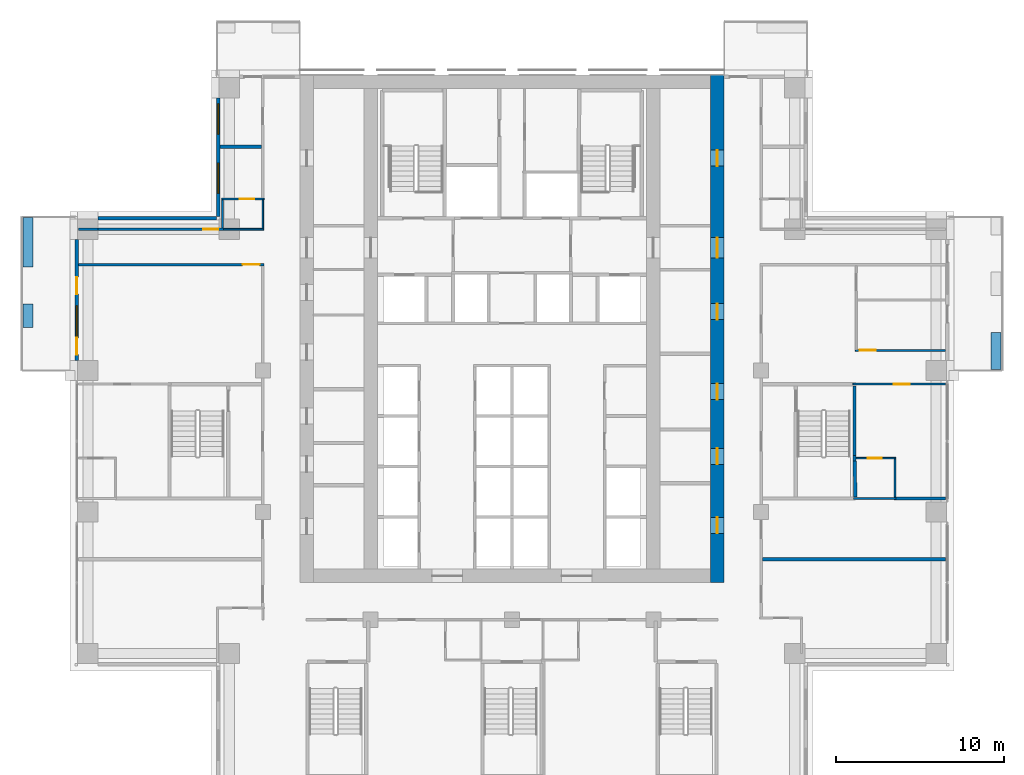
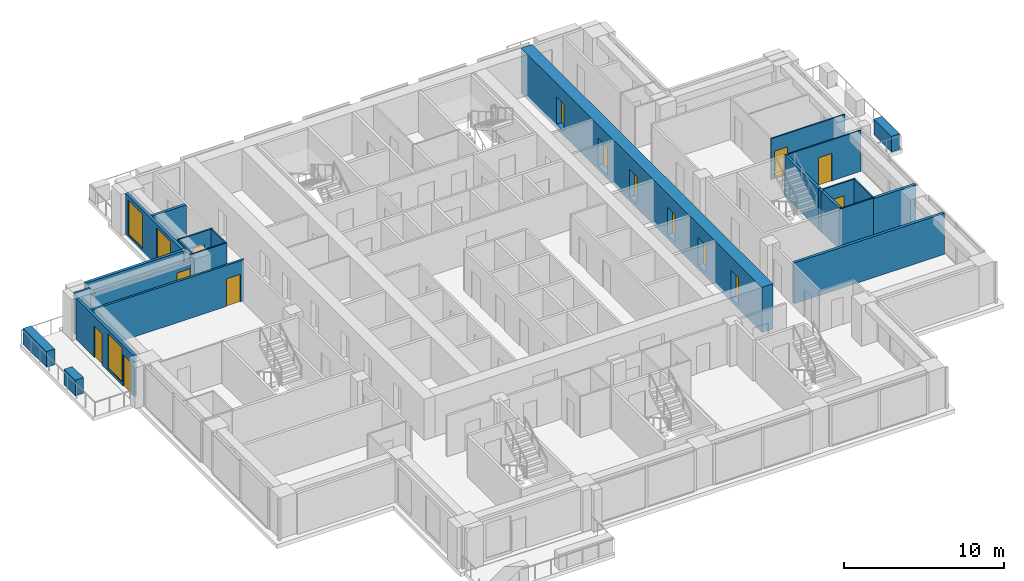
# One storey, part 10 of 17: 26 walls, 14 doors, 3 windows, 17 openings.
"""IFC4 building model written with IfcOpenShell, lengths in metres."""

from ifc_helpers import new_model, si_unit, direction, frame, frame_2d, origin, place, context, subcontext, project, spatial, rectangle, extrude, material, layer, layer_set, type_object, element, fill, save


model = new_model("IFC4")

# Units and contexts
model_context = context("Model", 3, precision=1e-05, world=origin(), true_north=direction((0.0, 1.0)))
body_context = subcontext(model_context, "Body", "Model", "MODEL_VIEW")
ifc_project = project(units=[si_unit("LENGTHUNIT", "METRE"), si_unit("AREAUNIT", "SQUARE_METRE"), si_unit("VOLUMEUNIT", "CUBIC_METRE"), si_unit("PLANEANGLEUNIT", "RADIAN"), si_unit("MASSUNIT", "GRAM", prefix="KILO")], contexts=[model_context])

# Site, building, storey
site_placement = place(None, origin())
site = spatial("IfcSite", under=ifc_project, at=site_placement, CompositionType="ELEMENT")
building_placement = place(site_placement, origin())
building = spatial("IfcBuilding", under=site, at=building_placement, Name="Vermilion Ogive Tower", CompositionType="ELEMENT")
storey_placement = place(building_placement, frame((0.0, 0.0, 83.85009765625)))
storey = spatial("IfcBuildingStorey", under=building, at=storey_placement, Name="L20", CompositionType="ELEMENT", Elevation=83.85009765625)

# Wall, openings, doors
ifc_material_1 = material(Name="Concrete B80", Category="concrete")
ifc_layer_1 = layer(ifc_material_1, 0.800048828125)
ifc_layer_set_1 = layer_set([ifc_layer_1], Name="Core wall 800 B80")
wall_type_1 = type_object("IfcWallType", Name="Core wall 800 B80", PredefinedType="SHEAR", material=ifc_layer_set_1)
wall_1_placement = place(storey_placement, frame((12.199951171875, -8.39990234375, -0.320068359375), z_axis=(0.0, 0.0, 1.0), x_axis=(0.0, 1.0, 0.0)))
wall_1 = element("IfcWall", 1, at=wall_1_placement, inside=storey, type_object=wall_type_1, Name="L20-CORE-E", PredefinedType="SHEAR", context=body_context, shape_type="SweptSolid", body=[
    extrude(rectangle(XDim=30.14990234375, YDim=0.800048828125, at=frame_2d((15.074951171875, 0.0))), origin(), (0.0, 0.0, 1.0), 3.449951171875),
])
opening_1_placement = place(wall_1_placement, frame((2.925048828125, 0.0, 0.320068359375)))
opening_1 = element("IfcOpeningElement", 2, at=opening_1_placement, cuts=wall_1, Name="Opening DAC034", PredefinedType="OPENING", context=body_context, shape_type="SweptSolid", body=[
    extrude(rectangle(XDim=0.949951171875, YDim=2.10009765625, at=frame_2d((0.47509765625, 1.050048828125))), frame((0.0, 0.409912109375, 0.0), z_axis=(0.0, -1.0, 0.0), x_axis=(1.0, 0.0, 0.0)), (0.0, 0.0, 1.0), 0.820068359375),
])
opening_2_placement = place(wall_1_placement, frame((7.02490234375, 0.0, 0.320068359375)))
opening_2 = element("IfcOpeningElement", 3, at=opening_2_placement, cuts=wall_1, Name="Opening DAC035", PredefinedType="OPENING", context=body_context, shape_type="SweptSolid", body=[
    extrude(rectangle(XDim=0.949951171875, YDim=2.10009765625, at=frame_2d((0.47509765625, 1.050048828125))), frame((0.0, 0.409912109375, 0.0), z_axis=(0.0, -1.0, 0.0), x_axis=(1.0, 0.0, 0.0)), (0.0, 0.0, 1.0), 0.820068359375),
])
opening_3_placement = place(wall_1_placement, frame((10.875, 0.0, 0.320068359375)))
opening_3 = element("IfcOpeningElement", 4, at=opening_3_placement, cuts=wall_1, Name="Opening DAC036", PredefinedType="OPENING", context=body_context, shape_type="SweptSolid", body=[
    extrude(rectangle(XDim=0.949951171875, YDim=2.10009765625, at=frame_2d((0.47509765625, 1.050048828125))), frame((0.0, 0.409912109375, 0.0), z_axis=(0.0, -1.0, 0.0), x_axis=(1.0, 0.0, 0.0)), (0.0, 0.0, 1.0), 0.820068359375),
])
opening_4_placement = place(wall_1_placement, frame((15.625, 0.0, 0.320068359375)))
opening_4 = element("IfcOpeningElement", 5, at=opening_4_placement, cuts=wall_1, Name="Opening DAC037", PredefinedType="OPENING", context=body_context, shape_type="SweptSolid", body=[
    extrude(rectangle(XDim=0.949951171875, YDim=2.10009765625, at=frame_2d((0.47509765625, 1.050048828125))), frame((0.0, 0.409912109375, 0.0), z_axis=(0.0, -1.0, 0.0), x_axis=(1.0, 0.0, 0.0)), (0.0, 0.0, 1.0), 0.820068359375),
])
opening_5_placement = place(wall_1_placement, frame((24.75, 0.0, 0.320068359375)))
opening_5 = element("IfcOpeningElement", 6, at=opening_5_placement, cuts=wall_1, Name="Opening DAC038", PredefinedType="OPENING", context=body_context, shape_type="SweptSolid", body=[
    extrude(rectangle(XDim=0.949951171875, YDim=2.10009765625, at=frame_2d((0.47509765625, 1.050048828125))), frame((0.0, 0.409912109375, 0.0), z_axis=(0.0, -1.0, 0.0), x_axis=(1.0, 0.0, 0.0)), (0.0, 0.0, 1.0), 0.820068359375),
])
opening_6_placement = place(wall_1_placement, frame((19.300048828125, 0.0, 0.320068359375)))
opening_6 = element("IfcOpeningElement", 7, at=opening_6_placement, cuts=wall_1, Name="Opening DAL007", PredefinedType="OPENING", context=body_context, shape_type="SweptSolid", body=[
    extrude(rectangle(XDim=1.199951171875, YDim=2.10009765625, at=frame_2d((0.60009765625, 1.050048828125))), frame((0.0, 0.409912109375, 0.0), z_axis=(0.0, -1.0, 0.0), x_axis=(1.0, 0.0, 0.0)), (0.0, 0.0, 1.0), 0.820068359375),
])
ifc_material_2 = material(Name="Timber door leaf", Category="wood")
door_type_1 = type_object("IfcDoorType", Name="Link door 1200 x 2100 FD60S", OperationType="SINGLE_SWING_LEFT", PredefinedType="DOOR", material=ifc_material_2)
door_1_placement = place(opening_6_placement, origin())
door_1 = element("IfcDoor", 8, at=door_1_placement, inside=storey, type_object=door_type_1, Name="L20-CKE-XL", OperationType="SINGLE_SWING_LEFT", OverallHeight=2.10009765625, OverallWidth=1.199951171875, PredefinedType="DOOR", context=body_context, shape_type="SweptSolid", body=[
    extrude(rectangle(XDim=1.199951171875, YDim=2.10009765625, at=frame_2d((0.60009765625, 1.050048828125))), frame((0.0, 0.02490234375, 0.0), z_axis=(0.0, -1.0, 0.0), x_axis=(1.0, 0.0, 0.0)), (0.0, 0.0, 1.0), 0.050048828125),
])
fill(opening_6, door_1)
ifc_material_3 = material(Name="Timber door leaf", Category="wood")
door_type_2 = type_object("IfcDoorType", Name="Service door 950 x 2100 FD60", OperationType="SINGLE_SWING_LEFT", PredefinedType="DOOR", material=ifc_material_3)
door_2_placement = place(opening_1_placement, origin())
door_2 = element("IfcDoor", 9, at=door_2_placement, inside=storey, type_object=door_type_2, Name="L20-CKE-XR0", OperationType="SINGLE_SWING_LEFT", OverallHeight=2.10009765625, OverallWidth=0.949951171875, PredefinedType="DOOR", context=body_context, shape_type="SweptSolid", body=[
    extrude(rectangle(XDim=0.949951171875, YDim=2.10009765625, at=frame_2d((0.47509765625, 1.050048828125))), frame((0.0, 0.02490234375, 0.0), z_axis=(0.0, -1.0, 0.0), x_axis=(1.0, 0.0, 0.0)), (0.0, 0.0, 1.0), 0.050048828125),
])
fill(opening_1, door_2)
door_3_placement = place(opening_2_placement, origin())
door_3 = element("IfcDoor", 10, at=door_3_placement, inside=storey, type_object=door_type_2, Name="L20-CKE-XR1", OperationType="SINGLE_SWING_LEFT", OverallHeight=2.10009765625, OverallWidth=0.949951171875, PredefinedType="DOOR", context=body_context, shape_type="SweptSolid", body=[
    extrude(rectangle(XDim=0.949951171875, YDim=2.10009765625, at=frame_2d((0.47509765625, 1.050048828125))), frame((0.0, 0.02490234375, 0.0), z_axis=(0.0, -1.0, 0.0), x_axis=(1.0, 0.0, 0.0)), (0.0, 0.0, 1.0), 0.050048828125),
])
fill(opening_2, door_3)
door_4_placement = place(opening_3_placement, origin())
door_4 = element("IfcDoor", 11, at=door_4_placement, inside=storey, type_object=door_type_2, Name="L20-CKE-XR2", OperationType="SINGLE_SWING_LEFT", OverallHeight=2.10009765625, OverallWidth=0.949951171875, PredefinedType="DOOR", context=body_context, shape_type="SweptSolid", body=[
    extrude(rectangle(XDim=0.949951171875, YDim=2.10009765625, at=frame_2d((0.47509765625, 1.050048828125))), frame((0.0, 0.02490234375, 0.0), z_axis=(0.0, -1.0, 0.0), x_axis=(1.0, 0.0, 0.0)), (0.0, 0.0, 1.0), 0.050048828125),
])
fill(opening_3, door_4)
door_5_placement = place(opening_4_placement, origin())
door_5 = element("IfcDoor", 12, at=door_5_placement, inside=storey, type_object=door_type_2, Name="L20-CKE-XR3", OperationType="SINGLE_SWING_LEFT", OverallHeight=2.10009765625, OverallWidth=0.949951171875, PredefinedType="DOOR", context=body_context, shape_type="SweptSolid", body=[
    extrude(rectangle(XDim=0.949951171875, YDim=2.10009765625, at=frame_2d((0.47509765625, 1.050048828125))), frame((0.0, 0.02490234375, 0.0), z_axis=(0.0, -1.0, 0.0), x_axis=(1.0, 0.0, 0.0)), (0.0, 0.0, 1.0), 0.050048828125),
])
fill(opening_4, door_5)
door_6_placement = place(opening_5_placement, origin())
door_6 = element("IfcDoor", 13, at=door_6_placement, inside=storey, type_object=door_type_2, Name="L20-CKE-XR4", OperationType="SINGLE_SWING_LEFT", OverallHeight=2.10009765625, OverallWidth=0.949951171875, PredefinedType="DOOR", context=body_context, shape_type="SweptSolid", body=[
    extrude(rectangle(XDim=0.949951171875, YDim=2.10009765625, at=frame_2d((0.47509765625, 1.050048828125))), frame((0.0, 0.02490234375, 0.0), z_axis=(0.0, -1.0, 0.0), x_axis=(1.0, 0.0, 0.0)), (0.0, 0.0, 1.0), 0.050048828125),
])
fill(opening_5, door_6)

# Wall
ifc_material_4 = material(Name="Gypsum board partition on steel studs", Category="steel")
ifc_layer_2 = layer(ifc_material_4, 0.10009765625)
ifc_layer_set_2 = layer_set([ifc_layer_2], Name="Partition 100 bath")
wall_type_2 = type_object("IfcWallType", Name="Partition 100 bath", PredefinedType="PARTITIONING", material=ifc_layer_set_2)
wall_2_placement = place(storey_placement, frame((20.300048828125, -3.39990234375, 0.0), z_axis=(0.0, 0.0, 1.0), x_axis=(1.0, 0.0, 0.0)))
element("IfcWall", 14, at=wall_2_placement, inside=storey, type_object=wall_type_2, Name="L20-W-W019", PredefinedType="PARTITIONING", context=body_context, shape_type="SweptSolid", body=[
    extrude(rectangle(XDim=2.5, YDim=0.10009765625, at=frame_2d((1.25, 0.0))), origin(), (0.0, 0.0, 1.0), 3.1298828125),
])

# Wall, opening, door
wall_3_placement = place(storey_placement, frame((20.449951171875, -1.0, 0.0), z_axis=(0.0, 0.0, 1.0), x_axis=(1.0, 0.0, 0.0)))
wall_3 = element("IfcWall", 15, at=wall_3_placement, inside=storey, type_object=wall_type_2, Name="L20-W-W022", PredefinedType="PARTITIONING", context=body_context, shape_type="SweptSolid", body=[
    extrude(rectangle(XDim=2.35009765625, YDim=0.10009765625, at=frame_2d((1.175048828125, 0.0))), origin(), (0.0, 0.0, 1.0), 3.1298828125),
])
opening_7_placement = place(wall_3_placement, frame((0.675048828125, 0.0, 0.0)))
opening_7 = element("IfcOpeningElement", 16, at=opening_7_placement, cuts=wall_3, Name="Opening D2G1019", PredefinedType="OPENING", context=body_context, shape_type="SweptSolid", body=[
    extrude(rectangle(XDim=0.85009765625, YDim=2.10009765625, at=frame_2d((0.425048828125, 1.050048828125))), frame((0.0, 0.06005859375, 0.0), z_axis=(0.0, -1.0, 0.0), x_axis=(1.0, 0.0, 0.0)), (0.0, 0.0, 1.0), 0.1201171875),
])
ifc_material_5 = material(Name="Timber door leaf", Category="wood")
door_type_3 = type_object("IfcDoorType", Name="Bath door 850 x 2100 FD30", OperationType="SINGLE_SWING_LEFT", PredefinedType="DOOR", material=ifc_material_5)
door_7_placement = place(opening_7_placement, origin())
door_7 = element("IfcDoor", 17, at=door_7_placement, inside=storey, type_object=door_type_3, Name="L20-D-D019", OperationType="SINGLE_SWING_RIGHT", OverallHeight=2.10009765625, OverallWidth=0.85009765625, PredefinedType="DOOR", context=body_context, shape_type="SweptSolid", body=[
    extrude(rectangle(XDim=0.85009765625, YDim=2.10009765625, at=frame_2d((0.425048828125, 1.050048828125))), frame((0.0, 0.02490234375, 0.0), z_axis=(0.0, -1.0, 0.0), x_axis=(1.0, 0.0, 0.0)), (0.0, 0.0, 1.0), 0.050048828125),
])
fill(opening_7, door_7)

# Wall
wall_4_placement = place(storey_placement, frame((-17.25, 12.60009765625, 0.0), z_axis=(0.0, 0.0, 1.0), x_axis=(1.0, 0.0, 0.0)))
element("IfcWall", 18, at=wall_4_placement, inside=storey, type_object=wall_type_2, Name="L20-W-W032", PredefinedType="PARTITIONING", context=body_context, shape_type="SweptSolid", body=[
    extrude(rectangle(XDim=2.5, YDim=0.10009765625, at=frame_2d((1.25, 0.0))), origin(), (0.0, 0.0, 1.0), 3.1298828125),
])

# Wall, opening, door
wall_5_placement = place(storey_placement, frame((-17.25, 14.39990234375, 0.0), z_axis=(0.0, 0.0, 1.0), x_axis=(1.0, 0.0, 0.0)))
wall_5 = element("IfcWall", 19, at=wall_5_placement, inside=storey, type_object=wall_type_2, Name="L20-W-W035", PredefinedType="PARTITIONING", context=body_context, shape_type="SweptSolid", body=[
    extrude(rectangle(XDim=2.52490234375, YDim=0.10009765625, at=frame_2d((1.262451171875, 0.0))), origin(), (0.0, 0.0, 1.0), 3.1298828125),
])
opening_8_placement = place(wall_5_placement, frame((1.074951171875, 0.0, 0.0)))
opening_8 = element("IfcOpeningElement", 20, at=opening_8_placement, cuts=wall_5, Name="Opening D2G1007", PredefinedType="OPENING", context=body_context, shape_type="SweptSolid", body=[
    extrude(rectangle(XDim=0.85009765625, YDim=2.10009765625, at=frame_2d((0.425048828125, 1.050048828125))), frame((0.0, 0.06005859375, 0.0), z_axis=(0.0, -1.0, 0.0), x_axis=(1.0, 0.0, 0.0)), (0.0, 0.0, 1.0), 0.1201171875),
])
door_8_placement = place(opening_8_placement, origin())
door_8 = element("IfcDoor", 21, at=door_8_placement, inside=storey, type_object=door_type_3, Name="L20-D-D007", OperationType="SINGLE_SWING_RIGHT", OverallHeight=2.10009765625, OverallWidth=0.85009765625, PredefinedType="DOOR", context=body_context, shape_type="SweptSolid", body=[
    extrude(rectangle(XDim=0.85009765625, YDim=2.10009765625, at=frame_2d((0.425048828125, 1.050048828125))), frame((0.0, 0.02490234375, 0.0), z_axis=(0.0, -1.0, 0.0), x_axis=(1.0, 0.0, 0.0)), (0.0, 0.0, 1.0), 0.050048828125),
])
fill(opening_8, door_8)

# Walls
wall_6_placement = place(storey_placement, frame((-17.199951171875, 12.675048828125, 0.0), z_axis=(0.0, 0.0, 1.0), x_axis=(0.0, 1.0, 0.0)))
element("IfcWall", 22, at=wall_6_placement, inside=storey, type_object=wall_type_2, Name="L20-W-W042", PredefinedType="PARTITIONING", context=body_context, shape_type="SweptSolid", body=[
    extrude(rectangle(XDim=1.675048828125, YDim=0.10009765625, at=frame_2d((0.83740234375, 0.0))), origin(), (0.0, 0.0, 1.0), 3.1298828125),
])
wall_7_placement = place(storey_placement, frame((-14.800048828125, 12.64990234375, 0.0), z_axis=(0.0, 0.0, 1.0), x_axis=(0.0, 1.0, 0.0)))
element("IfcWall", 23, at=wall_7_placement, inside=storey, type_object=wall_type_2, Name="L20-W-W046", PredefinedType="PARTITIONING", context=body_context, shape_type="SweptSolid", body=[
    extrude(rectangle(XDim=1.7001953125, YDim=0.10009765625, at=frame_2d((0.85009765625, 0.0))), origin(), (0.0, 0.0, 1.0), 3.1298828125),
])
wall_8_placement = place(storey_placement, frame((22.75, -3.300048828125, 0.0), z_axis=(0.0, 0.0, 1.0), x_axis=(0.0, 1.0, 0.0)))
element("IfcWall", 24, at=wall_8_placement, inside=storey, type_object=wall_type_2, Name="L20-W-W066", PredefinedType="PARTITIONING", context=body_context, shape_type="SweptSolid", body=[
    extrude(rectangle(XDim=2.25, YDim=0.10009765625, at=frame_2d((1.125, 0.0))), origin(), (0.0, 0.0, 1.0), 3.1298828125),
])

# Wall, opening, door
ifc_material_6 = material(Name="Gypsum board partition on steel studs", Category="steel")
ifc_layer_3 = layer(ifc_material_6, 0.10009765625)
ifc_layer_set_3 = layer_set([ifc_layer_3], Name="Partition 100 inner")
wall_type_3 = type_object("IfcWallType", Name="Partition 100 inner", PredefinedType="PARTITIONING", material=ifc_layer_set_3)
wall_9_placement = place(storey_placement, frame((20.25, 3.39990234375, 0.0), z_axis=(0.0, 0.0, 1.0), x_axis=(1.0, 0.0, 0.0)))
wall_9 = element("IfcWall", 25, at=wall_9_placement, inside=storey, type_object=wall_type_3, Name="L20-W-W026", PredefinedType="PARTITIONING", context=body_context, shape_type="SweptSolid", body=[
    extrude(rectangle(XDim=5.5, YDim=0.10009765625, at=frame_2d((2.75, 0.0))), origin(), (0.0, 0.0, 1.0), 3.1298828125),
])
opening_9_placement = place(wall_9_placement, frame((2.425048828125, 0.0, 0.0)))
opening_9 = element("IfcOpeningElement", 26, at=opening_9_placement, cuts=wall_9, Name="Opening D2G1018", PredefinedType="OPENING", context=body_context, shape_type="SweptSolid", body=[
    extrude(rectangle(XDim=0.949951171875, YDim=2.10009765625, at=frame_2d((0.47509765625, 1.050048828125))), frame((0.0, 0.06005859375, 0.0), z_axis=(0.0, -1.0, 0.0), x_axis=(1.0, 0.0, 0.0)), (0.0, 0.0, 1.0), 0.1201171875),
])
ifc_material_7 = material(Name="Timber door leaf", Category="wood")
door_type_4 = type_object("IfcDoorType", Name="Inner door 950 x 2100 FD30", OperationType="SINGLE_SWING_LEFT", PredefinedType="DOOR", material=ifc_material_7)
door_9_placement = place(opening_9_placement, origin())
door_9 = element("IfcDoor", 27, at=door_9_placement, inside=storey, type_object=door_type_4, Name="L20-D-D018", OperationType="SINGLE_SWING_LEFT", OverallHeight=2.10009765625, OverallWidth=0.949951171875, PredefinedType="DOOR", context=body_context, shape_type="SweptSolid", body=[
    extrude(rectangle(XDim=0.949951171875, YDim=2.10009765625, at=frame_2d((0.47509765625, 1.050048828125))), frame((0.0, 0.02490234375, 0.0), z_axis=(0.0, -1.0, 0.0), x_axis=(1.0, 0.0, 0.0)), (0.0, 0.0, 1.0), 0.050048828125),
])
fill(opening_9, door_9)

wall_10_placement = place(storey_placement, frame((20.39990234375, 5.39990234375, 0.0), z_axis=(0.0, 0.0, 1.0), x_axis=(1.0, 0.0, 0.0)))
wall_10 = element("IfcWall", 28, at=wall_10_placement, inside=storey, type_object=wall_type_3, Name="L20-W-W027", PredefinedType="PARTITIONING", context=body_context, shape_type="SweptSolid", body=[
    extrude(rectangle(XDim=5.35009765625, YDim=0.10009765625, at=frame_2d((2.675048828125, 0.0))), origin(), (0.0, 0.0, 1.0), 3.1298828125),
])
opening_10_placement = place(wall_10_placement, frame((0.25, 0.0, 0.0)))
opening_10 = element("IfcOpeningElement", 29, at=opening_10_placement, cuts=wall_10, Name="Opening D2G1015", PredefinedType="OPENING", context=body_context, shape_type="SweptSolid", body=[
    extrude(rectangle(XDim=0.949951171875, YDim=2.10009765625, at=frame_2d((0.47509765625, 1.050048828125))), frame((0.0, 0.06005859375, 0.0), z_axis=(0.0, -1.0, 0.0), x_axis=(1.0, 0.0, 0.0)), (0.0, 0.0, 1.0), 0.1201171875),
])
door_10_placement = place(opening_10_placement, origin())
door_10 = element("IfcDoor", 30, at=door_10_placement, inside=storey, type_object=door_type_4, Name="L20-D-D015", OperationType="SINGLE_SWING_LEFT", OverallHeight=2.10009765625, OverallWidth=0.949951171875, PredefinedType="DOOR", context=body_context, shape_type="SweptSolid", body=[
    extrude(rectangle(XDim=0.949951171875, YDim=2.10009765625, at=frame_2d((0.47509765625, 1.050048828125))), frame((0.0, 0.02490234375, 0.0), z_axis=(0.0, -1.0, 0.0), x_axis=(1.0, 0.0, 0.0)), (0.0, 0.0, 1.0), 0.050048828125),
])
fill(opening_10, door_10)

ifc_material_8 = material(Name="Gypsum board partition on steel studs", Category="steel")
ifc_layer_4 = layer(ifc_material_8, 0.14990234375)
ifc_layer_set_4 = layer_set([ifc_layer_4], Name="Partition 150 corridor")
wall_type_4 = type_object("IfcWallType", Name="Partition 150 corridor", PredefinedType="PARTITIONING", material=ifc_layer_set_4)
wall_11_placement = place(storey_placement, frame((-25.75, 10.5, 0.0), z_axis=(0.0, 0.0, 1.0), x_axis=(1.0, 0.0, 0.0)))
wall_11 = element("IfcWall", 31, at=wall_11_placement, inside=storey, type_object=wall_type_4, Name="L20-W-W029", PredefinedType="PARTITIONING", context=body_context, shape_type="SweptSolid", body=[
    extrude(rectangle(XDim=11.02490234375, YDim=0.14990234375, at=frame_2d((5.512451171875, 0.0))), origin(), (0.0, 0.0, 1.0), 3.1298828125),
])
opening_11_placement = place(wall_11_placement, frame((9.75, 0.0, 0.0)))
opening_11 = element("IfcOpeningElement", 32, at=opening_11_placement, cuts=wall_11, Name="Opening D2G1003", PredefinedType="OPENING", context=body_context, shape_type="SweptSolid", body=[
    extrude(rectangle(XDim=1.0, YDim=2.10009765625, at=frame_2d((0.5, 1.050048828125))), frame((0.0, 0.0849609375, 0.0), z_axis=(0.0, -1.0, 0.0), x_axis=(1.0, 0.0, 0.0)), (0.0, 0.0, 1.0), 0.169921875),
])
ifc_material_9 = material(Name="Timber door leaf", Category="wood")
door_type_5 = type_object("IfcDoorType", Name="Unit door 1000 x 2100 FD30S", OperationType="SINGLE_SWING_LEFT", PredefinedType="DOOR", material=ifc_material_9)
door_11_placement = place(opening_11_placement, origin())
door_11 = element("IfcDoor", 33, at=door_11_placement, inside=storey, type_object=door_type_5, Name="L20-D-D003", OperationType="SINGLE_SWING_RIGHT", OverallHeight=2.10009765625, OverallWidth=1.0, PredefinedType="DOOR", context=body_context, shape_type="SweptSolid", body=[
    extrude(rectangle(XDim=1.0, YDim=2.10009765625, at=frame_2d((0.5, 1.050048828125))), frame((0.0, 0.02490234375, 0.0), z_axis=(0.0, -1.0, 0.0), x_axis=(1.0, 0.0, 0.0)), (0.0, 0.0, 1.0), 0.050048828125),
])
fill(opening_11, door_11)

# Wall
wall_12_placement = place(storey_placement, frame((-25.75, 12.60009765625, 0.0), z_axis=(0.0, 0.0, 1.0), x_axis=(1.0, 0.0, 0.0)))
element("IfcWall", 34, at=wall_12_placement, inside=storey, type_object=wall_type_4, Name="L20-W-W031", PredefinedType="PARTITIONING", context=body_context, shape_type="SweptSolid", body=[
    extrude(rectangle(XDim=1.14990234375, YDim=0.14990234375, at=frame_2d((0.574951171875, 0.0))), origin(), (0.0, 0.0, 1.0), 3.1298828125),
])

# Wall, opening, door
wall_13_placement = place(storey_placement, frame((-24.60009765625, 12.60009765625, 0.0), z_axis=(0.0, 0.0, 1.0), x_axis=(1.0, 0.0, 0.0)))
wall_13 = element("IfcWall", 35, at=wall_13_placement, inside=storey, type_object=wall_type_4, Name="L20-W-W031-h1", PredefinedType="PARTITIONING", context=body_context, shape_type="SweptSolid", body=[
    extrude(rectangle(XDim=7.2001953125, YDim=0.14990234375, at=frame_2d((3.60009765625, 0.0))), origin(), (0.0, 0.0, 1.0), 2.579833984375),
])
opening_12_placement = place(wall_13_placement, frame((6.25, 0.0, 0.0)))
opening_12 = element("IfcOpeningElement", 36, at=opening_12_placement, cuts=wall_13, Name="Opening D2G1006", PredefinedType="OPENING", context=body_context, shape_type="SweptSolid", body=[
    extrude(rectangle(XDim=0.949951171875, YDim=2.10009765625, at=frame_2d((0.47509765625, 1.050048828125))), frame((0.0, 0.0849609375, 0.0), z_axis=(0.0, -1.0, 0.0), x_axis=(1.0, 0.0, 0.0)), (0.0, 0.0, 1.0), 0.169921875),
])
ifc_material_10 = material(Name="Timber door leaf", Category="wood")
door_type_6 = type_object("IfcDoorType", Name="Unit door 950 x 2100 FD30S", OperationType="SINGLE_SWING_LEFT", PredefinedType="DOOR", material=ifc_material_10)
door_12_placement = place(opening_12_placement, origin())
door_12 = element("IfcDoor", 37, at=door_12_placement, inside=storey, type_object=door_type_6, Name="L20-D-D006", OperationType="SINGLE_SWING_LEFT", OverallHeight=2.10009765625, OverallWidth=0.949951171875, PredefinedType="DOOR", context=body_context, shape_type="SweptSolid", body=[
    extrude(rectangle(XDim=0.949951171875, YDim=2.10009765625, at=frame_2d((0.47509765625, 1.050048828125))), frame((0.0, 0.02490234375, 0.0), z_axis=(0.0, -1.0, 0.0), x_axis=(1.0, 0.0, 0.0)), (0.0, 0.0, 1.0), 0.050048828125),
])
fill(opening_12, door_12)

# Walls
wall_14_placement = place(storey_placement, frame((-17.39990234375, 12.60009765625, 0.0), z_axis=(0.0, 0.0, 1.0), x_axis=(1.0, 0.0, 0.0)))
element("IfcWall", 38, at=wall_14_placement, inside=storey, type_object=wall_type_4, Name="L20-W-W031-h2", PredefinedType="PARTITIONING", context=body_context, shape_type="SweptSolid", body=[
    extrude(rectangle(XDim=0.25, YDim=0.14990234375, at=frame_2d((0.125, 0.0))), origin(), (0.0, 0.0, 1.0), 3.1298828125),
])
ifc_material_11 = material(Name="Gypsum board partition on steel studs", Category="steel")
ifc_layer_5 = layer(ifc_material_11, 0.199951171875)
ifc_layer_set_5 = layer_set([ifc_layer_5], Name="Partition 200 party")
wall_type_5 = type_object("IfcWallType", Name="Partition 200 party", PredefinedType="PARTITIONING", material=ifc_layer_set_5)
wall_15_placement = place(storey_placement, frame((14.875, -7.0, 0.0), z_axis=(0.0, 0.0, 1.0), x_axis=(1.0, 0.0, 0.0)))
element("IfcWall", 39, at=wall_15_placement, inside=storey, type_object=wall_type_5, Name="L20-W-W015", PredefinedType="PARTITIONING", context=body_context, shape_type="SweptSolid", body=[
    extrude(rectangle(XDim=10.875, YDim=0.199951171875, at=frame_2d((5.4375, 0.0))), origin(), (0.0, 0.0, 1.0), 3.1298828125),
])
wall_16_placement = place(storey_placement, frame((22.699951171875, -3.39990234375, 0.0), z_axis=(0.0, 0.0, 1.0), x_axis=(1.0, 0.0, 0.0)))
element("IfcWall", 40, at=wall_16_placement, inside=storey, type_object=wall_type_5, Name="L20-W-W020", PredefinedType="PARTITIONING", context=body_context, shape_type="SweptSolid", body=[
    extrude(rectangle(XDim=3.050048828125, YDim=0.199951171875, at=frame_2d((1.52490234375, 0.0))), origin(), (0.0, 0.0, 1.0), 3.1298828125),
])
wall_17_placement = place(storey_placement, frame((-17.35009765625, 17.5, 0.0), z_axis=(0.0, 0.0, 1.0), x_axis=(1.0, 0.0, 0.0)))
element("IfcWall", 41, at=wall_17_placement, inside=storey, type_object=wall_type_5, Name="L20-W-W037", PredefinedType="PARTITIONING", context=body_context, shape_type="SweptSolid", body=[
    extrude(rectangle(XDim=2.47509765625, YDim=0.199951171875, at=frame_2d((1.237548828125, 0.0))), origin(), (0.0, 0.0, 1.0), 3.1298828125),
])
ifc_material_12 = material(Name="Concrete B60", Category="concrete")
ifc_layer_6 = layer(ifc_material_12, 0.199951171875)
ifc_layer_set_6 = layer_set([ifc_layer_6], Name="Stair shaft wall 200 Concrete B60")
wall_type_6 = type_object("IfcWallType", Name="Stair shaft wall 200 Concrete B60", PredefinedType="SOLIDWALL", material=ifc_layer_set_6)
wall_18_placement = place(storey_placement, frame((20.400146484375, -3.300048828125, 0.0), z_axis=(0.0, 0.0, 1.0), x_axis=(-0.021771342749, 0.999762976227, 0.0)))
element("IfcWall", 42, at=wall_18_placement, inside=storey, type_object=wall_type_6, Name="L20-W-W063", PredefinedType="SOLIDWALL", context=body_context, shape_type="SweptSolid", body=[
    extrude(rectangle(XDim=2.130615234375, YDim=0.199951171875, at=frame_2d((1.0654296875, 0.0))), origin(), (0.0, 0.0, 1.0), 3.1298828125),
])
wall_19_placement = place(storey_placement, frame((20.35009765625, -0.830078125, 0.0), z_axis=(0.0, 0.0, 1.0), x_axis=(0.0, 1.0, 0.0)))
element("IfcWall", 43, at=wall_19_placement, inside=storey, type_object=wall_type_6, Name="L20-W-W064", PredefinedType="SOLIDWALL", context=body_context, shape_type="SweptSolid", body=[
    extrude(rectangle(XDim=4.130126953125, YDim=0.199951171875, at=frame_2d((2.06494140625, 0.0))), origin(), (0.0, 0.0, 1.0), 3.1298828125),
])
wall_20_placement = place(storey_placement, frame((20.35009765625, -1.169921875, 0.0), z_axis=(0.0, 0.0, 1.0), x_axis=(0.0, 1.0, 0.0)))
element("IfcWall", 44, at=wall_20_placement, inside=storey, type_object=wall_type_6, Name="L20-SW-ST8-E1", PredefinedType="SOLIDWALL", context=body_context, shape_type="SweptSolid", body=[
    extrude(rectangle(XDim=0.33984375, YDim=0.199951171875, at=frame_2d((0.169921875, 0.0))), origin(), (0.0, 0.0, 1.0), 3.1298828125),
])
ifc_material_13 = material(Name="Concrete B40", Category="concrete")
ifc_layer_7 = layer(ifc_material_13, 0.60009765625)
ifc_layer_set_7 = layer_set([ifc_layer_7], Name="Structural planter")
wall_type_7 = type_object("IfcWallType", Name="Structural planter", PredefinedType="USERDEFINED", material=ifc_layer_set_7)
wall_21_placement = place(storey_placement, frame((28.75, 4.260009765625, -0.0400390625), z_axis=(0.0, 0.0, 1.0), x_axis=(0.0, 1.0, 0.0)))
element("IfcWall", 45, at=wall_21_placement, inside=storey, type_object=wall_type_7, Name="Planter E03A1", ObjectType="PLANTER", PredefinedType="USERDEFINED", context=body_context, shape_type="SweptSolid", body=[
    extrude(rectangle(XDim=2.18994140625, YDim=0.60009765625, at=frame_2d((1.094970703125, 0.0))), origin(), (0.0, 0.0, 1.0), 1.199951171875),
])
wall_22_placement = place(storey_placement, frame((-28.75, 13.2900390625, -0.0400390625), z_axis=(0.0, 0.0, 1.0), x_axis=(0.0, -1.0, 0.0)))
element("IfcWall", 46, at=wall_22_placement, inside=storey, type_object=wall_type_7, Name="Planter W01A1", ObjectType="PLANTER", PredefinedType="USERDEFINED", context=body_context, shape_type="SweptSolid", body=[
    extrude(rectangle(XDim=2.93994140625, YDim=0.60009765625, at=frame_2d((1.469970703125, 0.0))), origin(), (0.0, 0.0, 1.0), 1.199951171875),
])
wall_23_placement = place(storey_placement, frame((-28.75, 8.14990234375, -0.0400390625), z_axis=(0.0, 0.0, 1.0), x_axis=(0.0, -1.0, 0.0)))
element("IfcWall", 47, at=wall_23_placement, inside=storey, type_object=wall_type_7, Name="Planter W01A2", ObjectType="PLANTER", PredefinedType="USERDEFINED", context=body_context, shape_type="SweptSolid", body=[
    extrude(rectangle(XDim=1.39990234375, YDim=0.60009765625, at=frame_2d((0.699951171875, 0.0))), origin(), (0.0, 0.0, 1.0), 1.199951171875),
])

# Wall, openings, windows
ifc_material_14 = material(Name="Aluminium window wall framing", Category="aluminium")
ifc_layer_8 = layer(ifc_material_14, 0.199951171875)
ifc_layer_set_8 = layer_set([ifc_layer_8], Name="Window wall")
wall_type_8 = type_object("IfcWallType", Name="Window wall", PredefinedType="STANDARD", material=ifc_layer_set_8)
wall_24_placement = place(storey_placement, frame((-17.449951171875, 20.39990234375, 0.0), z_axis=(0.0, 0.0, 1.0), x_axis=(0.0, -1.0, 0.0)))
wall_24 = element("IfcWall", 48, at=wall_24_placement, inside=storey, type_object=wall_type_8, Name="Window wall X51", PredefinedType="STANDARD", context=body_context, shape_type="SweptSolid", body=[
    extrude(rectangle(XDim=7.0498046875, YDim=0.199951171875, at=frame_2d((3.52490234375, 0.0))), origin(), (0.0, 0.0, 1.0), 3.1298828125),
])
opening_13_placement = place(wall_24_placement, frame((3.875, 0.0, 0.199951171875)))
opening_13 = element("IfcOpeningElement", 49, at=opening_13_placement, cuts=wall_24, Name="Opening W1-X503", PredefinedType="OPENING", context=body_context, shape_type="SweptSolid", body=[
    extrude(rectangle(XDim=1.800048828125, YDim=2.64990234375, at=frame_2d((0.89990234375, 1.324951171875))), frame((0.0, 0.10986328125, 0.0), z_axis=(0.0, -1.0, 0.0), x_axis=(1.0, 0.0, 0.0)), (0.0, 0.0, 1.0), 0.219970703125),
])
opening_14_placement = place(wall_24_placement, frame((0.35009765625, 0.0, 0.199951171875)))
opening_14 = element("IfcOpeningElement", 50, at=opening_14_placement, cuts=wall_24, Name="Opening W1-X504", PredefinedType="OPENING", context=body_context, shape_type="SweptSolid", body=[
    extrude(rectangle(XDim=1.800048828125, YDim=2.64990234375, at=frame_2d((0.89990234375, 1.324951171875))), frame((0.0, 0.10986328125, 0.0), z_axis=(0.0, -1.0, 0.0), x_axis=(1.0, 0.0, 0.0)), (0.0, 0.0, 1.0), 0.219970703125),
])
ifc_material_15 = material(Name="Aluminium framed double glazing", Category="aluminium")
window_type = type_object("IfcWindowType", Name="Guest window W1", PartitioningType="SINGLE_PANEL", PredefinedType="WINDOW", material=ifc_material_15)
window_1_placement = place(opening_13_placement, origin())
window_1 = element("IfcWindow", 51, at=window_1_placement, inside=storey, type_object=window_type, Name="Window X503", OverallHeight=2.64990234375, OverallWidth=1.800048828125, PartitioningType="SINGLE_PANEL", PredefinedType="WINDOW", context=body_context, shape_type="SweptSolid", body=[
    extrude(rectangle(XDim=1.800048828125, YDim=2.64990234375, at=frame_2d((0.89990234375, 1.324951171875))), frame((0.0, 0.030029296875, 0.0), z_axis=(0.0, -1.0, 0.0), x_axis=(1.0, 0.0, 0.0)), (0.0, 0.0, 1.0), 0.06005859375),
])
fill(opening_13, window_1)
window_2_placement = place(opening_14_placement, origin())
window_2 = element("IfcWindow", 52, at=window_2_placement, inside=storey, type_object=window_type, Name="Window X504", OverallHeight=2.64990234375, OverallWidth=1.800048828125, PartitioningType="SINGLE_PANEL", PredefinedType="WINDOW", context=body_context, shape_type="SweptSolid", body=[
    extrude(rectangle(XDim=1.800048828125, YDim=2.64990234375, at=frame_2d((0.89990234375, 1.324951171875))), frame((0.0, 0.030029296875, 0.0), z_axis=(0.0, -1.0, 0.0), x_axis=(1.0, 0.0, 0.0)), (0.0, 0.0, 1.0), 0.06005859375),
])
fill(opening_14, window_2)

# Wall
wall_25_placement = place(storey_placement, frame((-17.550048828125, 13.25, 0.0), z_axis=(0.0, 0.0, 1.0), x_axis=(-1.0, 0.0, 0.0)))
element("IfcWall", 53, at=wall_25_placement, inside=storey, type_object=wall_type_8, Name="Window wall X61", PredefinedType="STANDARD", context=body_context, shape_type="SweptSolid", body=[
    extrude(rectangle(XDim=7.050048828125, YDim=0.199951171875, at=frame_2d((3.52490234375, 0.0))), origin(), (0.0, 0.0, 1.0), 3.1298828125),
])

# Wall, openings, doors, window
wall_26_placement = place(storey_placement, frame((-25.85009765625, 12.0, 0.0), z_axis=(0.0, 0.0, 1.0), x_axis=(0.0, -1.0, 0.0)))
wall_26 = element("IfcWall", 54, at=wall_26_placement, inside=storey, type_object=wall_type_8, Name="Window wall W1", PredefinedType="STANDARD", context=body_context, shape_type="SweptSolid", body=[
    extrude(rectangle(XDim=7.199951171875, YDim=0.199951171875, at=frame_2d((3.60009765625, 0.0))), origin(), (0.0, 0.0, 1.0), 3.1298828125),
])
opening_15_placement = place(wall_26_placement, frame((3.949951171875, 0.0, 0.199951171875)))
opening_15 = element("IfcOpeningElement", 55, at=opening_15_placement, cuts=wall_26, Name="Opening W1-W01", PredefinedType="OPENING", context=body_context, shape_type="SweptSolid", body=[
    extrude(rectangle(XDim=1.800048828125, YDim=2.64990234375, at=frame_2d((0.89990234375, 1.324951171875))), frame((0.0, 0.10986328125, 0.0), z_axis=(0.0, -1.0, 0.0), x_axis=(1.0, 0.0, 0.0)), (0.0, 0.0, 1.0), 0.219970703125),
])
opening_16_placement = place(wall_26_placement, frame((5.85009765625, 0.0, 0.0)))
opening_16 = element("IfcOpeningElement", 56, at=opening_16_placement, cuts=wall_26, Name="Opening D1-W01", PredefinedType="OPENING", context=body_context, shape_type="SweptSolid", body=[
    extrude(rectangle(XDim=1.0, YDim=2.39990234375, at=frame_2d((0.5, 1.199951171875))), frame((0.0, 0.10986328125, 0.0), z_axis=(0.0, -1.0, 0.0), x_axis=(1.0, 0.0, 0.0)), (0.0, 0.0, 1.0), 0.219970703125),
])
opening_17_placement = place(wall_26_placement, frame((2.25, 0.0, 0.0)))
opening_17 = element("IfcOpeningElement", 57, at=opening_17_placement, cuts=wall_26, Name="Opening D1-W02", PredefinedType="OPENING", context=body_context, shape_type="SweptSolid", body=[
    extrude(rectangle(XDim=1.0, YDim=2.39990234375, at=frame_2d((0.5, 1.199951171875))), frame((0.0, 0.10986328125, 0.0), z_axis=(0.0, -1.0, 0.0), x_axis=(1.0, 0.0, 0.0)), (0.0, 0.0, 1.0), 0.219970703125),
])
ifc_material_16 = material(Name="Aluminium framed glazed door", Category="aluminium")
door_type_7 = type_object("IfcDoorType", Name="Balcony door D1", OperationType="SINGLE_SWING_LEFT", PredefinedType="DOOR", material=ifc_material_16)
door_13_placement = place(opening_16_placement, origin())
door_13 = element("IfcDoor", 58, at=door_13_placement, inside=storey, type_object=door_type_7, Name="Balcony door W01", OperationType="SINGLE_SWING_LEFT", OverallHeight=2.39990234375, OverallWidth=1.0, PredefinedType="DOOR", context=body_context, shape_type="SweptSolid", body=[
    extrude(rectangle(XDim=1.0, YDim=2.39990234375, at=frame_2d((0.5, 1.199951171875))), frame((0.0, 0.02490234375, 0.0), z_axis=(0.0, -1.0, 0.0), x_axis=(1.0, 0.0, 0.0)), (0.0, 0.0, 1.0), 0.050048828125),
])
fill(opening_16, door_13)
door_14_placement = place(opening_17_placement, origin())
door_14 = element("IfcDoor", 59, at=door_14_placement, inside=storey, type_object=door_type_7, Name="Balcony door W02", OperationType="SINGLE_SWING_LEFT", OverallHeight=2.39990234375, OverallWidth=1.0, PredefinedType="DOOR", context=body_context, shape_type="SweptSolid", body=[
    extrude(rectangle(XDim=1.0, YDim=2.39990234375, at=frame_2d((0.5, 1.199951171875))), frame((0.0, 0.02490234375, 0.0), z_axis=(0.0, -1.0, 0.0), x_axis=(1.0, 0.0, 0.0)), (0.0, 0.0, 1.0), 0.050048828125),
])
fill(opening_17, door_14)
window_3_placement = place(opening_15_placement, origin())
window_3 = element("IfcWindow", 60, at=window_3_placement, inside=storey, type_object=window_type, Name="Window W01", OverallHeight=2.64990234375, OverallWidth=1.800048828125, PartitioningType="SINGLE_PANEL", PredefinedType="WINDOW", context=body_context, shape_type="SweptSolid", body=[
    extrude(rectangle(XDim=1.800048828125, YDim=2.64990234375, at=frame_2d((0.89990234375, 1.324951171875))), frame((0.0, 0.030029296875, 0.0), z_axis=(0.0, -1.0, 0.0), x_axis=(1.0, 0.0, 0.0)), (0.0, 0.0, 1.0), 0.06005859375),
])
fill(opening_15, window_3)

save(model, "model.ifc")
